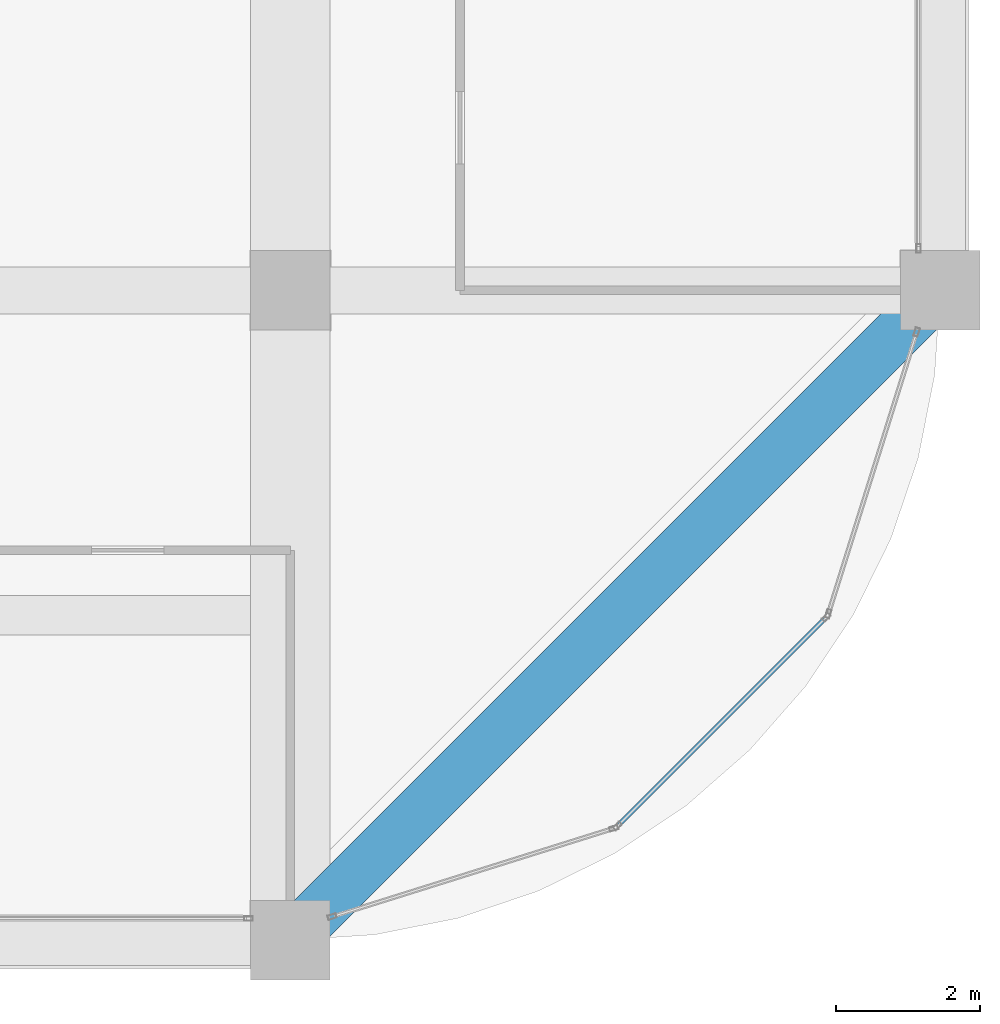
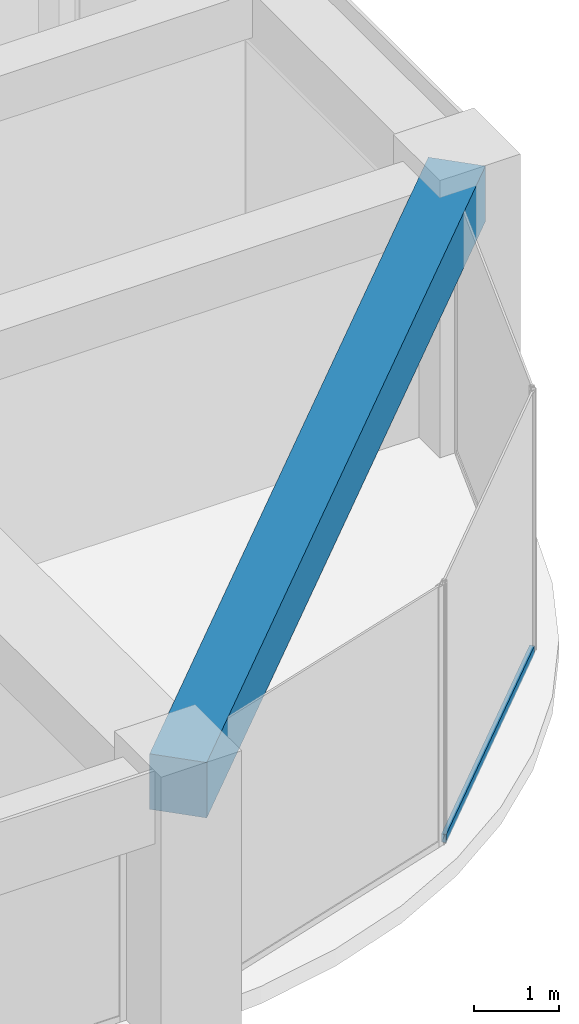
# One storey, part 19 of 44: 1 beam, 1 member, 1 element without a shape of its own.
"""IFC4 building model written with IfcOpenShell, lengths in metres."""

from ifc_helpers import new_model, si_unit, direction, frame, origin, origin_2d, place, context, subcontext, project, spatial, rectangle, hollow_rectangle, extrude, material, material_profile, profile_set, type_object, element, aggregate, save


model = new_model("IFC4")

# Units and contexts
model_context = context("Model", 3, precision=1e-05, world=origin(), true_north=direction((0.0, 1.0)))
body_context = subcontext(model_context, "Body", "Model", "MODEL_VIEW")
ifc_project = project(units=[si_unit("LENGTHUNIT", "METRE"), si_unit("AREAUNIT", "SQUARE_METRE"), si_unit("VOLUMEUNIT", "CUBIC_METRE"), si_unit("PLANEANGLEUNIT", "RADIAN"), si_unit("MASSUNIT", "GRAM", prefix="KILO")], contexts=[model_context])

# Site, building, storey
site_placement = place(None, origin())
site = spatial("IfcSite", under=ifc_project, at=site_placement, CompositionType="ELEMENT")
building_placement = place(site_placement, origin())
building = spatial("IfcBuilding", under=site, at=building_placement, Name="Zorevar Civic Tower", CompositionType="ELEMENT")
storey_placement = place(building_placement, frame((0.0, 0.0, 295.39990234375)))
storey = spatial("IfcBuildingStorey", under=building, at=storey_placement, Name="L72", CompositionType="ELEMENT", Elevation=295.39990234375)

# Curtain wall, member
ifc_material_1 = material(Name="Dark grey solar-control glass in black aluminium frame", Category="aluminium")
curtain_wall_type = type_object("IfcCurtainWallType", Name="Curtain wall CW5 top zone", PredefinedType="NOTDEFINED", material=ifc_material_1)
curtain_wall_placement = place(storey_placement, origin())
curtain_wall = element("IfcCurtainWall", 1, at=curtain_wall_placement, inside=storey, type_object=curtain_wall_type, Name="CW5 L72", PredefinedType="NOTDEFINED")
ifc_material_2 = material(Name="Aluminium, black anodised", Category="aluminium")
ifc_material_profile_1 = material_profile(ifc_material_2, hollow_rectangle(XDim=0.06005859375, YDim=0.1201171875, WallThickness=0.0029296875, at=origin_2d()), Name="AL 120x60x3")
ifc_profile_set_1 = profile_set([ifc_material_profile_1], Name="Aluminium, black anodised")
member_type = type_object("IfcMemberType", Name="CW5 transom AL 120x60x3", PredefinedType="USERDEFINED", material=ifc_profile_set_1)
member_placement = place(storey_placement, frame((49.55029296875, 1.6015625, 0.030029296875), z_axis=(0.707106781187, 0.707106781187, 0.0), x_axis=(-0.707106781187, 0.707106781187, 0.0)))
member = element("IfcMember", 2, at=member_placement, type_object=member_type, Name="CW5 sill transom", ObjectType="TRANSOM", PredefinedType="USERDEFINED", context=body_context, shape_type="SweptSolid", body=[
    extrude(hollow_rectangle(XDim=0.06005859375, YDim=0.1201171875, WallThickness=0.0029296875, at=origin_2d()), origin(), (0.0, 0.0, 1.0), 4.02783203125),
])
aggregate(curtain_wall, [member])

# Beam
ifc_material_3 = material(Name="Concrete C50/60", Category="concrete")
ifc_material_profile_2 = material_profile(ifc_material_3, rectangle(XDim=0.699951171875, YDim=0.800048828125, at=origin_2d()), Name="RC 700x800")
ifc_profile_set_2 = profile_set([ifc_material_profile_2], Name="Concrete C50/60")
beam_type = type_object("IfcBeamType", Name="Edge beam RC 700x800", PredefinedType="SPANDREL", material=ifc_profile_set_2)
beam_placement = place(storey_placement, frame((45.0, 0.0, 3.35009765625), z_axis=(0.707106781187, 0.707106781187, 0.0), x_axis=(-0.707106781187, 0.707106781187, 0.0)))
element("IfcBeam", 3, at=beam_placement, inside=storey, type_object=beam_type, Name="Corner edge beam L73", PredefinedType="SPANDREL", context=body_context, shape_type="SweptSolid", body=[
    extrude(rectangle(XDim=0.699951171875, YDim=0.800048828125, at=origin_2d()), origin(), (0.0, 0.0, 1.0), 12.72802734375),
])

save(model, "model.ifc")
